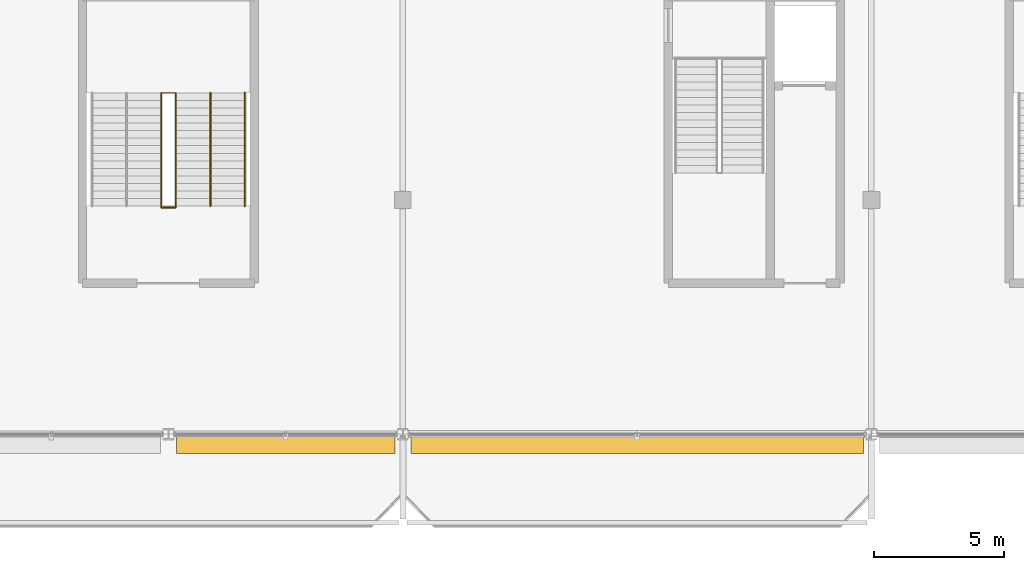
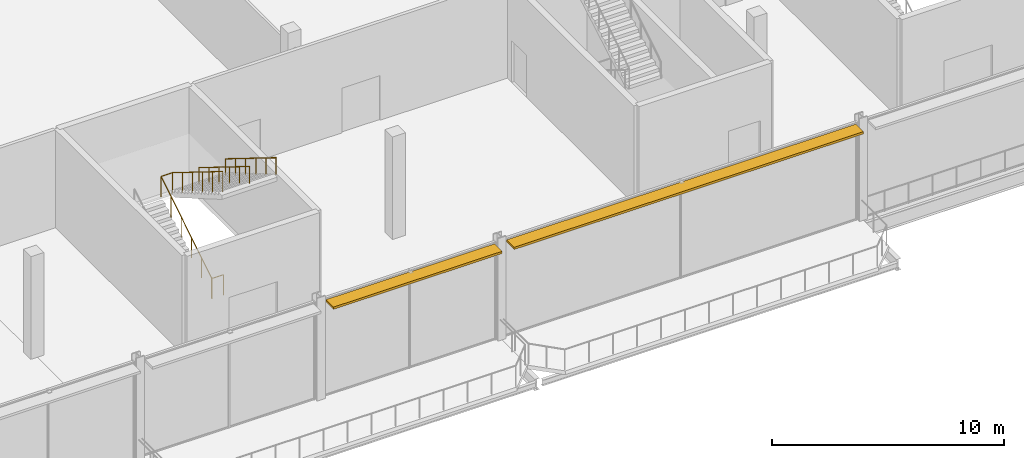
# One storey, part 105 of 113: 4 railings, 2 shading devices.
"""IFC4 building model written with IfcOpenShell, lengths in metres."""

from ifc_helpers import new_model, si_unit, direction, frame, origin, origin_2d, place, context, subcontext, project, spatial, rectangle, circle, extrude, material, type_object, element, save


model = new_model("IFC4")

# Units and contexts
model_context = context("Model", 3, precision=1e-05, world=origin(), true_north=direction((0.0, 1.0)))
body_context = subcontext(model_context, "Body", "Model", "MODEL_VIEW")
ifc_project = project(units=[si_unit("LENGTHUNIT", "METRE"), si_unit("AREAUNIT", "SQUARE_METRE"), si_unit("VOLUMEUNIT", "CUBIC_METRE"), si_unit("PLANEANGLEUNIT", "RADIAN"), si_unit("MASSUNIT", "GRAM", prefix="KILO")], contexts=[model_context])

# Site, building, storey
site_placement = place(None, origin())
site = spatial("IfcSite", under=ifc_project, at=site_placement, CompositionType="ELEMENT")
building_placement = place(site_placement, origin())
building = spatial("IfcBuilding", under=site, at=building_placement, Name="Kisiwana Market Hall", CompositionType="ELEMENT")
storey_placement = place(building_placement, frame((0.0, 0.0, 6.0)))
storey = spatial("IfcBuildingStorey", under=building, at=storey_placement, Name="L01", CompositionType="ELEMENT", Elevation=6.0)

# Railings
ifc_material_1 = material(Name="Steel S275", Category="steel")
railing_type_1 = type_object("IfcRailingType", Name="RL-GUARD-1100", PredefinedType="GUARDRAIL", material=ifc_material_1)
railing_1_placement = place(storey_placement, frame((107.719970703125, 92.760009765625, 0.0)))
element("IfcRailing", 1, at=railing_1_placement, inside=storey, type_object=railing_type_1, Name="Stair ST-N5-L01 inner-well guardrail (RL-457)", PredefinedType="GUARDRAIL", context=body_context, shape_type="SweptSolid", body=[
    extrude(circle(Radius=0.02392578125, at=origin_2d()), frame((0.0, 0.0, 1.076171875), z_axis=(0.0, 0.849649743971, 0.527347430608), x_axis=(-1.0, 0.0, 0.0)), (0.0, 0.0, 1.0), 5.119873046875),
    extrude(circle(Radius=0.02392578125, at=origin_2d()), frame((0.0, 4.35009765625, 3.77587890625), z_axis=(1.0, 0.0, 0.0), x_axis=(0.0, 1.0, 0.0)), (0.0, 0.0, 1.0), 0.56005859375),
    extrude(circle(Radius=0.02392578125, at=origin_2d()), frame((0.56005859375, 4.35009765625, 3.77587890625), z_axis=(0.0, -0.849649743971, 0.527347430608), x_axis=(1.0, 0.0, 0.0)), (0.0, 0.0, 1.0), 5.119873046875),
    extrude(circle(Radius=0.02099609375, at=origin_2d()), origin(), (0.0, 0.0, 1.0), 1.052001953125),
    extrude(circle(Radius=0.02099609375, at=origin_2d()), frame((0.0, 0.8701171875, 0.5400390625)), (0.0, 0.0, 1.0), 1.052001953125),
    extrude(circle(Radius=0.02099609375, at=origin_2d()), frame((0.0, 1.739990234375, 1.080078125)), (0.0, 0.0, 1.0), 1.052001953125),
    extrude(circle(Radius=0.02099609375, at=origin_2d()), frame((0.0, 2.610107421875, 1.619873046875)), (0.0, 0.0, 1.0), 1.052001953125),
    extrude(circle(Radius=0.02099609375, at=origin_2d()), frame((0.0, 3.47998046875, 2.159912109375)), (0.0, 0.0, 1.0), 1.052001953125),
    extrude(circle(Radius=0.02099609375, at=origin_2d()), frame((0.0, 4.35009765625, 2.699951171875)), (0.0, 0.0, 1.0), 1.052001953125),
    extrude(circle(Radius=0.02099609375, at=origin_2d()), frame((0.56005859375, 4.35009765625, 2.699951171875)), (0.0, 0.0, 1.0), 1.052001953125),
    extrude(circle(Radius=0.02099609375, at=origin_2d()), frame((0.56005859375, 3.47998046875, 3.239990234375)), (0.0, 0.0, 1.0), 1.052001953125),
    extrude(circle(Radius=0.02099609375, at=origin_2d()), frame((0.56005859375, 2.610107421875, 3.780029296875)), (0.0, 0.0, 1.0), 1.052001953125),
    extrude(circle(Radius=0.02099609375, at=origin_2d()), frame((0.56005859375, 1.739990234375, 4.31982421875)), (0.0, 0.0, 1.0), 1.052001953125),
    extrude(circle(Radius=0.02099609375, at=origin_2d()), frame((0.56005859375, 0.8701171875, 4.85986328125)), (0.0, 0.0, 1.0), 1.052001953125),
    extrude(circle(Radius=0.02099609375, at=origin_2d()), frame((0.56005859375, 0.0, 5.39990234375)), (0.0, 0.0, 1.0), 1.052001953125),
])
railing_2_placement = place(storey_placement, frame((107.719970703125, 92.7099609375, 0.0)))
element("IfcRailing", 2, at=railing_2_placement, inside=storey, type_object=railing_type_1, Name="Stair ST-N5-L01 landing edge guardrail (RL-462)", PredefinedType="GUARDRAIL", context=body_context, shape_type="SweptSolid", body=[
    extrude(circle(Radius=0.02392578125, at=origin_2d()), frame((0.0, 0.0, 1.076171875), z_axis=(1.0, 0.0, 0.0), x_axis=(0.0, 1.0, 0.0)), (0.0, 0.0, 1.0), 0.56005859375),
    extrude(circle(Radius=0.02099609375, at=origin_2d()), origin(), (0.0, 0.0, 1.0), 1.052001953125),
    extrude(circle(Radius=0.02099609375, at=origin_2d()), frame((0.56005859375, 0.0, 0.0)), (0.0, 0.0, 1.0), 1.052001953125),
])
ifc_material_2 = material(Name="Steel S275", Category="steel")
railing_type_2 = type_object("IfcRailingType", Name="RL-HAND-900", PredefinedType="HANDRAIL", material=ifc_material_2)
for number, where, name in (
    (3, (110.929931640625, 97.110107421875, 2.699951171875), "Stair ST-N5-L01 flight 2 handrail (RL-459)"),
    (4, (109.610107421875, 97.110107421875, 2.699951171875), "Stair ST-N5-L01 flight 2 intermediate handrail (RL-461)"),
):
    element("IfcRailing", number, at=place(storey_placement, frame(where)), inside=storey, type_object=railing_type_2, Name=name, PredefinedType="HANDRAIL", context=body_context, shape_type="SweptSolid", body=[
        extrude(circle(Radius=0.02392578125, at=origin_2d()), frame((0.0, 0.0, 0.8759765625), z_axis=(0.0, -0.849649743971, 0.527347430608), x_axis=(1.0, 0.0, 0.0)), (0.0, 0.0, 1.0), 5.119873046875),
        extrude(circle(Radius=0.02099609375, at=origin_2d()), origin(), (0.0, 0.0, 1.0), 0.851806640625),
        extrude(circle(Radius=0.02099609375, at=origin_2d()), frame((0.0, -0.8701171875, 0.5400390625)), (0.0, 0.0, 1.0), 0.851806640625),
        extrude(circle(Radius=0.02099609375, at=origin_2d()), frame((0.0, -1.739990234375, 1.080078125)), (0.0, 0.0, 1.0), 0.851806640625),
        extrude(circle(Radius=0.02099609375, at=origin_2d()), frame((0.0, -2.610107421875, 1.619873046875)), (0.0, 0.0, 1.0), 0.851806640625),
        extrude(circle(Radius=0.02099609375, at=origin_2d()), frame((0.0, -3.47998046875, 2.159912109375)), (0.0, 0.0, 1.0), 0.851806640625),
        extrude(circle(Radius=0.02099609375, at=origin_2d()), frame((0.0, -4.35009765625, 2.699951171875)), (0.0, 0.0, 1.0), 0.851806640625),
    ])

# Shading devices
ifc_material_3 = material(Name="Aluminium alloy 6063-T6", Category="aluminium")
shading_device_type = type_object("IfcShadingDeviceType", Name="SHD-JALOUSIE-H", PredefinedType="JALOUSIE", material=ifc_material_3)
shading_device_1_placement = place(storey_placement, frame((112.5, 83.580078125, 4.969970703125), z_axis=(0.0, 0.0, 1.0), x_axis=(1.0, 0.0, 0.0)))
element("IfcShadingDevice", 5, at=shading_device_1_placement, inside=storey, type_object=shading_device_type, Name="Aluminium brise-soleil louvre SHD-025 SD-025", PredefinedType="JALOUSIE", context=body_context, shape_type="SweptSolid", body=[
    extrude(rectangle(XDim=8.387939453125, YDim=0.64990234375, at=origin_2d()), origin(), (0.0, 0.0, 1.0), 0.1201171875),
])
shading_device_2_placement = place(storey_placement, frame((126.0, 83.580078125, 4.969970703125), z_axis=(0.0, 0.0, 1.0), x_axis=(1.0, 0.0, 0.0)))
element("IfcShadingDevice", 6, at=shading_device_2_placement, inside=storey, type_object=shading_device_type, Name="Aluminium brise-soleil louvre SHD-026 SD-026", PredefinedType="JALOUSIE", context=body_context, shape_type="SweptSolid", body=[
    extrude(rectangle(XDim=17.387939453125, YDim=0.64990234375, at=origin_2d()), origin(), (0.0, 0.0, 1.0), 0.1201171875),
])

save(model, "model.ifc")
